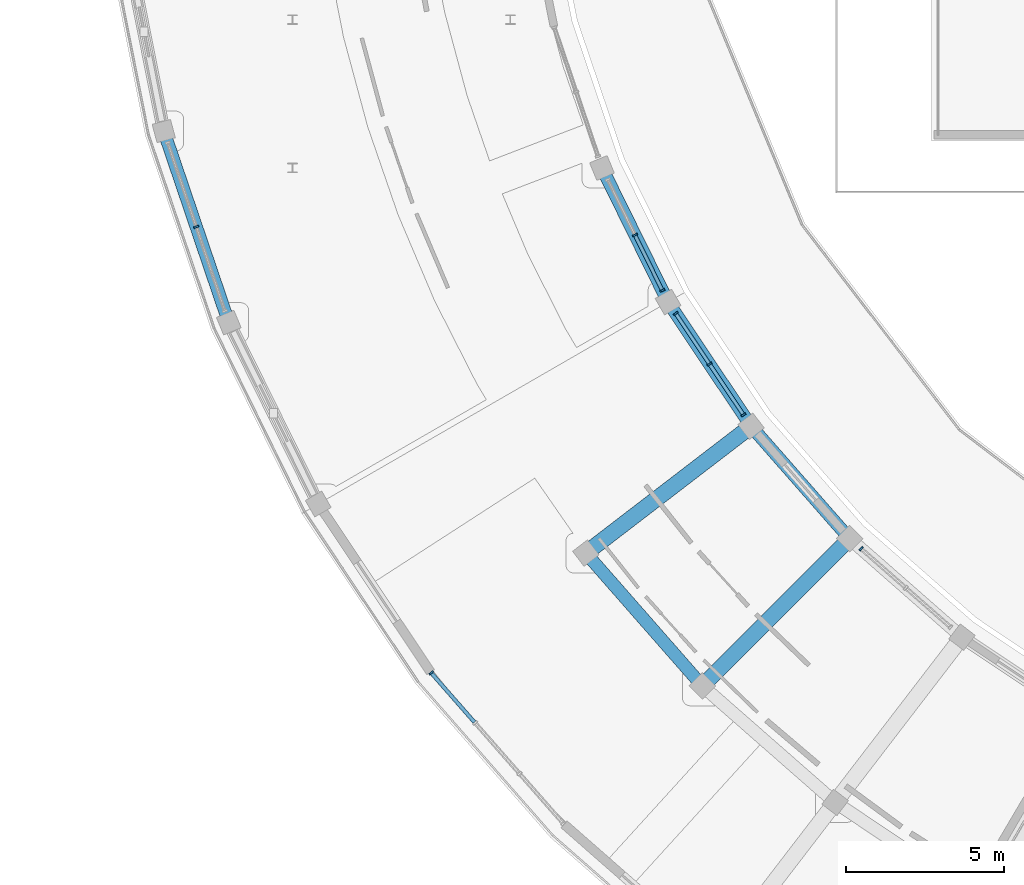
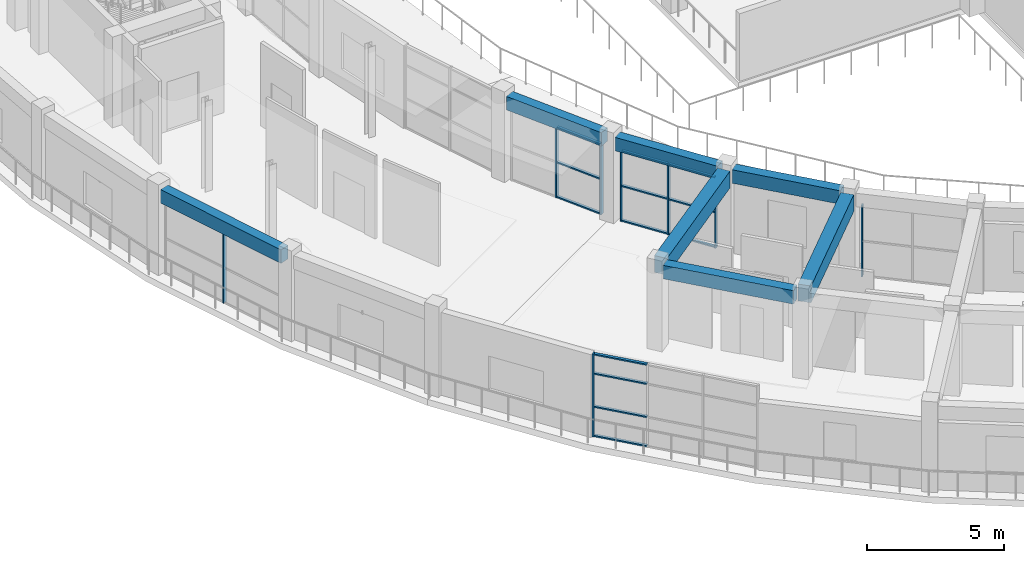
# One storey, part 13 of 83: 21 members, 7 beams, 5 elements without a shape of their own.
"""IFC4 building model written with IfcOpenShell, lengths in metres."""

from ifc_helpers import new_model, si_unit, direction, frame, origin, origin_2d, place, context, subcontext, project, spatial, rectangle, extrude, material, material_profile, profile_set, type_object, element, aggregate, save


model = new_model("IFC4")

# Units and contexts
model_context = context("Model", 3, precision=1e-05, world=origin(), true_north=direction((0.0, 1.0)))
body_context = subcontext(model_context, "Body", "Model", "MODEL_VIEW")
ifc_project = project(units=[si_unit("LENGTHUNIT", "METRE"), si_unit("AREAUNIT", "SQUARE_METRE"), si_unit("VOLUMEUNIT", "CUBIC_METRE"), si_unit("PLANEANGLEUNIT", "RADIAN"), si_unit("MASSUNIT", "GRAM", prefix="KILO")], contexts=[model_context])

# Site, building, storey
site_placement = place(None, origin())
site = spatial("IfcSite", under=ifc_project, at=site_placement, CompositionType="ELEMENT")
building_placement = place(site_placement, origin())
building = spatial("IfcBuilding", under=site, at=building_placement, Name="Saryqyr Civic Hall", CompositionType="ELEMENT")
storey_placement = place(building_placement, frame((0.0, 0.0, 9.14990234375)))
storey = spatial("IfcBuildingStorey", under=building, at=storey_placement, Name="L02", CompositionType="ELEMENT", Elevation=9.14990234375)

# Curtain wall, member
ifc_material_1 = material(Name="Anodised aluminium and triple low-E glass", Category="aluminium")
curtain_wall_type_1 = type_object("IfcCurtainWallType", Name="ENV-CW-STD-23", PredefinedType="NOTDEFINED", material=ifc_material_1)
curtain_wall_1_placement = place(storey_placement, origin())
curtain_wall_1 = element("IfcCurtainWall", 1, at=curtain_wall_1_placement, inside=storey, type_object=curtain_wall_type_1, Name="Curtain wall V4-CWO-L02-04", PredefinedType="NOTDEFINED")
ifc_material_2 = material(Name="Anodised aluminium", Category="aluminium")
ifc_material_profile_1 = material_profile(ifc_material_2, rectangle(XDim=0.06005859375, YDim=0.159912109375, at=origin_2d()), Name="ALU MULLION 60x160")
ifc_profile_set_1 = profile_set([ifc_material_profile_1], Name="Anodised aluminium")
member_type_1 = type_object("IfcMemberType", Name="ENV-CW-MUL-180", PredefinedType="MULLION", material=ifc_profile_set_1)
member_1_placement = place(storey_placement, frame((10.69970703125, 68.283203125, 0.0), z_axis=(0.0, 0.0, 1.0), x_axis=(-0.321446589179, 0.946927711235, 0.0)))
member_1 = element("IfcMember", 2, at=member_1_placement, type_object=member_type_1, Name="CW-23 mullion 2", PredefinedType="MULLION", context=body_context, shape_type="SweptSolid", body=[
    extrude(rectangle(XDim=0.06005859375, YDim=0.159912109375, at=origin_2d()), origin(), (0.0, 0.0, 1.0), 3.1650390625),
])
aggregate(curtain_wall_1, [member_1])

# Curtain wall, members
curtain_wall_type_2 = type_object("IfcCurtainWallType", Name="ENV-CW-STD-21", PredefinedType="NOTDEFINED", material=ifc_material_1)
curtain_wall_2_placement = place(storey_placement, origin())
curtain_wall_2 = element("IfcCurtainWall", 3, at=curtain_wall_2_placement, inside=storey, type_object=curtain_wall_type_2, Name="Curtain wall V4-CWI-L02-05", PredefinedType="NOTDEFINED")
member_2_placement = place(storey_placement, frame((24.602783203125, 68.0234375, 0.0), z_axis=(0.0, 0.0, 1.0), x_axis=(0.44226837931, -0.896882757479, 0.0)))
member_2 = element("IfcMember", 4, at=member_2_placement, type_object=member_type_1, Name="CW-21 mullion 2", PredefinedType="MULLION", context=body_context, shape_type="SweptSolid", body=[
    extrude(rectangle(XDim=0.06005859375, YDim=0.159912109375, at=origin_2d()), origin(), (0.0, 0.0, 1.0), 3.1650390625),
])
member_3_placement = place(storey_placement, frame((25.468994140625, 66.266845703125, 0.0), z_axis=(0.0, 0.0, 1.0), x_axis=(0.44226837931, -0.896882757479, 0.0)))
member_3 = element("IfcMember", 5, at=member_3_placement, type_object=member_type_1, Name="CW-21 mullion 3", PredefinedType="MULLION", context=body_context, shape_type="SweptSolid", body=[
    extrude(rectangle(XDim=0.06005859375, YDim=0.159912109375, at=origin_2d()), origin(), (0.0, 0.0, 1.0), 3.1650390625),
])

curtain_wall_type_3 = type_object("IfcCurtainWallType", Name="ENV-CW-STD-25", PredefinedType="NOTDEFINED", material=ifc_material_1)
curtain_wall_3_placement = place(storey_placement, origin())
curtain_wall_3 = element("IfcCurtainWall", 6, at=curtain_wall_3_placement, inside=storey, type_object=curtain_wall_type_3, Name="Curtain wall V4-CWI-L02-06", PredefinedType="NOTDEFINED")
member_4_placement = place(storey_placement, frame((25.893798828125, 65.53515625, 0.0), z_axis=(0.0, 0.0, 1.0), x_axis=(0.555554091972, -0.831480397179, 0.0)))
member_4 = element("IfcMember", 7, at=member_4_placement, type_object=member_type_1, Name="CW-25 mullion 1", PredefinedType="MULLION", context=body_context, shape_type="SweptSolid", body=[
    extrude(rectangle(XDim=0.06005859375, YDim=0.159912109375, at=origin_2d()), origin(), (0.0, 0.0, 1.0), 3.1650390625),
])
member_5_placement = place(storey_placement, frame((26.96533203125, 63.931396484375, 0.0), z_axis=(0.0, 0.0, 1.0), x_axis=(0.555554091972, -0.831480397179, 0.0)))
member_5 = element("IfcMember", 8, at=member_5_placement, type_object=member_type_1, Name="CW-25 mullion 2", PredefinedType="MULLION", context=body_context, shape_type="SweptSolid", body=[
    extrude(rectangle(XDim=0.06005859375, YDim=0.159912109375, at=origin_2d()), origin(), (0.0, 0.0, 1.0), 3.1650390625),
])
member_6_placement = place(storey_placement, frame((28.03662109375, 62.32763671875, 0.0), z_axis=(0.0, 0.0, 1.0), x_axis=(0.555554091972, -0.831480397179, 0.0)))
member_6 = element("IfcMember", 9, at=member_6_placement, type_object=member_type_1, Name="CW-25 mullion 3", PredefinedType="MULLION", context=body_context, shape_type="SweptSolid", body=[
    extrude(rectangle(XDim=0.06005859375, YDim=0.159912109375, at=origin_2d()), origin(), (0.0, 0.0, 1.0), 3.1650390625),
])

# Curtain wall, member
curtain_wall_type_4 = type_object("IfcCurtainWallType", Name="ENV-CW-STD-26", PredefinedType="NOTDEFINED", material=ifc_material_1)
curtain_wall_4_placement = place(storey_placement, origin())
curtain_wall_4 = element("IfcCurtainWall", 10, at=curtain_wall_4_placement, inside=storey, type_object=curtain_wall_type_4, Name="Curtain wall V4-CWO-L02-07", PredefinedType="NOTDEFINED")
member_7_placement = place(storey_placement, frame((18.1455078125, 54.148193359375, 0.0), z_axis=(0.0, 0.0, 1.0), x_axis=(-0.659349177167, 0.751836859012, 0.0)))
member_7 = element("IfcMember", 11, at=member_7_placement, type_object=member_type_1, Name="CW-26 mullion 4", PredefinedType="MULLION", context=body_context, shape_type="SweptSolid", body=[
    extrude(rectangle(XDim=0.06005859375, YDim=0.159912109375, at=origin_2d()), origin(), (0.0, 0.0, 1.0), 3.7001953125),
])

curtain_wall_type_5 = type_object("IfcCurtainWallType", Name="ENV-CW-STD-27", PredefinedType="NOTDEFINED", material=ifc_material_1)
curtain_wall_5_placement = place(storey_placement, origin())
curtain_wall_5 = element("IfcCurtainWall", 12, at=curtain_wall_5_placement, inside=storey, type_object=curtain_wall_type_5, Name="Curtain wall V4-CWI-L02-08", PredefinedType="NOTDEFINED")
member_8_placement = place(storey_placement, frame((31.76513671875, 58.084716796875, 0.0), z_axis=(0.0, 0.0, 1.0), x_axis=(0.751850148543, -0.65933402319, 0.0)))
member_8 = element("IfcMember", 13, at=member_8_placement, type_object=member_type_1, Name="CW-27 mullion 1", PredefinedType="MULLION", context=body_context, shape_type="SweptSolid", body=[
    extrude(rectangle(XDim=0.06005859375, YDim=0.159912109375, at=origin_2d()), origin(), (0.0, 0.0, 1.0), 3.1650390625),
])
aggregate(curtain_wall_5, [member_8])

# Member
ifc_material_profile_2 = material_profile(ifc_material_2, rectangle(XDim=0.1201171875, YDim=0.06005859375, at=origin_2d()), Name="ALU TRANSOM 120x60")
ifc_profile_set_2 = profile_set([ifc_material_profile_2], Name="Anodised aluminium")
member_type_2 = type_object("IfcMemberType", Name="ENV-CW-TRN-150", PredefinedType="USERDEFINED", material=ifc_profile_set_2)
member_9_placement = place(storey_placement, frame((24.615966796875, 67.99658203125, 0.030029296875), z_axis=(0.442217386625, -0.89690790105, 0.0), x_axis=(0.89690790105, 0.442217386625, 0.0)))
member_9 = element("IfcMember", 14, at=member_9_placement, type_object=member_type_2, Name="CW-21 transom 2.1", ObjectType="TRANSOM", PredefinedType="USERDEFINED", context=body_context, shape_type="SweptSolid", body=[
    extrude(rectangle(XDim=0.1201171875, YDim=0.06005859375, at=origin_2d()), origin(), (0.0, 0.0, 1.0), 1.898681640625),
])

member_10_placement = place(storey_placement, frame((24.615966796875, 67.99658203125, 1.58203125), z_axis=(0.442217386625, -0.89690790105, 0.0), x_axis=(0.89690790105, 0.442217386625, 0.0)))
member_10 = element("IfcMember", 15, at=member_10_placement, type_object=member_type_2, Name="CW-21 transom 2.2", ObjectType="TRANSOM", PredefinedType="USERDEFINED", context=body_context, shape_type="SweptSolid", body=[
    extrude(rectangle(XDim=0.1201171875, YDim=0.06005859375, at=origin_2d()), origin(), (0.0, 0.0, 1.0), 1.898681640625),
])

member_11_placement = place(storey_placement, frame((24.615966796875, 67.99658203125, 3.135009765625), z_axis=(0.442217386625, -0.89690790105, 0.0), x_axis=(0.89690790105, 0.442217386625, 0.0)))
member_11 = element("IfcMember", 16, at=member_11_placement, type_object=member_type_2, Name="CW-21 transom 2.3", ObjectType="TRANSOM", PredefinedType="USERDEFINED", context=body_context, shape_type="SweptSolid", body=[
    extrude(rectangle(XDim=0.1201171875, YDim=0.06005859375, at=origin_2d()), origin(), (0.0, 0.0, 1.0), 1.898681640625),
])

aggregate(curtain_wall_2, [member_2, member_3, member_9, member_10, member_11])

member_12_placement = place(storey_placement, frame((25.910400390625, 65.510009765625, 0.030029296875), z_axis=(0.555544141607, -0.831487045435, 0.0), x_axis=(0.831487045435, 0.555544141607, 0.0)))
member_12 = element("IfcMember", 17, at=member_12_placement, type_object=member_type_2, Name="CW-25 transom 1.1", ObjectType="TRANSOM", PredefinedType="USERDEFINED", context=body_context, shape_type="SweptSolid", body=[
    extrude(rectangle(XDim=0.1201171875, YDim=0.06005859375, at=origin_2d()), origin(), (0.0, 0.0, 1.0), 1.86865234375),
])

member_13_placement = place(storey_placement, frame((25.910400390625, 65.510009765625, 1.58203125), z_axis=(0.555544141607, -0.831487045435, 0.0), x_axis=(0.831487045435, 0.555544141607, 0.0)))
member_13 = element("IfcMember", 18, at=member_13_placement, type_object=member_type_2, Name="CW-25 transom 1.2", ObjectType="TRANSOM", PredefinedType="USERDEFINED", context=body_context, shape_type="SweptSolid", body=[
    extrude(rectangle(XDim=0.1201171875, YDim=0.06005859375, at=origin_2d()), origin(), (0.0, 0.0, 1.0), 1.86865234375),
])

member_14_placement = place(storey_placement, frame((25.910400390625, 65.510009765625, 3.135009765625), z_axis=(0.555544141607, -0.831487045435, 0.0), x_axis=(0.831487045435, 0.555544141607, 0.0)))
member_14 = element("IfcMember", 19, at=member_14_placement, type_object=member_type_2, Name="CW-25 transom 1.3", ObjectType="TRANSOM", PredefinedType="USERDEFINED", context=body_context, shape_type="SweptSolid", body=[
    extrude(rectangle(XDim=0.1201171875, YDim=0.06005859375, at=origin_2d()), origin(), (0.0, 0.0, 1.0), 1.86865234375),
])

member_15_placement = place(storey_placement, frame((26.98193359375, 63.906494140625, 0.030029296875), z_axis=(0.555544141607, -0.831487045435, 0.0), x_axis=(0.831487045435, 0.555544141607, 0.0)))
member_15 = element("IfcMember", 20, at=member_15_placement, type_object=member_type_2, Name="CW-25 transom 2.1", ObjectType="TRANSOM", PredefinedType="USERDEFINED", context=body_context, shape_type="SweptSolid", body=[
    extrude(rectangle(XDim=0.1201171875, YDim=0.06005859375, at=origin_2d()), origin(), (0.0, 0.0, 1.0), 1.86865234375),
])

member_16_placement = place(storey_placement, frame((26.98193359375, 63.906494140625, 1.58203125), z_axis=(0.555544141607, -0.831487045435, 0.0), x_axis=(0.831487045435, 0.555544141607, 0.0)))
member_16 = element("IfcMember", 21, at=member_16_placement, type_object=member_type_2, Name="CW-25 transom 2.2", ObjectType="TRANSOM", PredefinedType="USERDEFINED", context=body_context, shape_type="SweptSolid", body=[
    extrude(rectangle(XDim=0.1201171875, YDim=0.06005859375, at=origin_2d()), origin(), (0.0, 0.0, 1.0), 1.86865234375),
])

member_17_placement = place(storey_placement, frame((26.98193359375, 63.906494140625, 3.135009765625), z_axis=(0.555544141607, -0.831487045435, 0.0), x_axis=(0.831487045435, 0.555544141607, 0.0)))
member_17 = element("IfcMember", 22, at=member_17_placement, type_object=member_type_2, Name="CW-25 transom 2.3", ObjectType="TRANSOM", PredefinedType="USERDEFINED", context=body_context, shape_type="SweptSolid", body=[
    extrude(rectangle(XDim=0.1201171875, YDim=0.06005859375, at=origin_2d()), origin(), (0.0, 0.0, 1.0), 1.86865234375),
])

aggregate(curtain_wall_3, [member_4, member_5, member_6, member_12, member_13, member_14, member_15, member_16, member_17])

member_18_placement = place(storey_placement, frame((19.5146484375, 52.5869140625, 0.030029296875), z_axis=(-0.659365663126, 0.751822400764, 0.0), x_axis=(-0.751822400764, -0.659365663126, 0.0)))
member_18 = element("IfcMember", 23, at=member_18_placement, type_object=member_type_2, Name="CW-26 transom 3.1", ObjectType="TRANSOM", PredefinedType="USERDEFINED", context=body_context, shape_type="SweptSolid", body=[
    extrude(rectangle(XDim=0.1201171875, YDim=0.06005859375, at=origin_2d()), origin(), (0.0, 0.0, 1.0), 2.04638671875),
])

member_19_placement = place(storey_placement, frame((19.5146484375, 52.5869140625, 1.33203125), z_axis=(-0.659365663126, 0.751822400764, 0.0), x_axis=(-0.751822400764, -0.659365663126, 0.0)))
member_19 = element("IfcMember", 24, at=member_19_placement, type_object=member_type_2, Name="CW-26 transom 3.2", ObjectType="TRANSOM", PredefinedType="USERDEFINED", context=body_context, shape_type="SweptSolid", body=[
    extrude(rectangle(XDim=0.1201171875, YDim=0.06005859375, at=origin_2d()), origin(), (0.0, 0.0, 1.0), 2.04638671875),
])

member_20_placement = place(storey_placement, frame((19.5146484375, 52.5869140625, 2.81201171875), z_axis=(-0.659365663126, 0.751822400764, 0.0), x_axis=(-0.751822400764, -0.659365663126, 0.0)))
member_20 = element("IfcMember", 25, at=member_20_placement, type_object=member_type_2, Name="CW-26 transom 3.3", ObjectType="TRANSOM", PredefinedType="USERDEFINED", context=body_context, shape_type="SweptSolid", body=[
    extrude(rectangle(XDim=0.1201171875, YDim=0.06005859375, at=origin_2d()), origin(), (0.0, 0.0, 1.0), 2.04638671875),
])

member_21_placement = place(storey_placement, frame((19.5146484375, 52.5869140625, 3.670166015625), z_axis=(-0.659365663126, 0.751822400764, 0.0), x_axis=(-0.751822400764, -0.659365663126, 0.0)))
member_21 = element("IfcMember", 26, at=member_21_placement, type_object=member_type_2, Name="CW-26 transom 3.4", ObjectType="TRANSOM", PredefinedType="USERDEFINED", context=body_context, shape_type="SweptSolid", body=[
    extrude(rectangle(XDim=0.1201171875, YDim=0.06005859375, at=origin_2d()), origin(), (0.0, 0.0, 1.0), 2.04638671875),
])

aggregate(curtain_wall_4, [member_7, member_18, member_19, member_20, member_21])

# Beams
ifc_material_3 = material(Name="Concrete C35/45", Category="concrete")
ifc_material_profile_3 = material_profile(ifc_material_3, rectangle(XDim=0.39990234375, YDim=0.60009765625, at=origin_2d()), Name="RC 400x600")
ifc_profile_set_3 = profile_set([ifc_material_profile_3], Name="Concrete C35/45")
beam_type_1 = type_object("IfcBeamType", Name="STR-BM-RC400x600", PredefinedType="BEAM", material=ifc_profile_set_3)
beam_1_placement = place(storey_placement, frame((23.225830078125, 57.73828125, 3.489990234375), z_axis=(0.659336163536, -0.751848271564, 0.0), x_axis=(0.751848271564, 0.659336163536, 0.0)))
element("IfcBeam", 27, at=beam_1_placement, inside=storey, type_object=beam_type_1, Name="Beam V4-CBM-MID07-L02", PredefinedType="BEAM", context=body_context, shape_type="SweptSolid", body=[
    extrude(rectangle(XDim=0.39990234375, YDim=0.60009765625, at=origin_2d()), origin(), (0.0, 0.0, 1.0), 5.04833984375),
])
ifc_material_profile_4 = material_profile(ifc_material_3, rectangle(XDim=0.39990234375, YDim=0.60009765625, at=origin_2d()), Name="RC 400x600")
ifc_profile_set_4 = profile_set([ifc_material_profile_4], Name="Concrete C35/45")
beam_type_2 = type_object("IfcBeamType", Name="STR-BM-RC400x600-EXT", PredefinedType="BEAM", material=ifc_profile_set_4)
beam_2_placement = place(storey_placement, frame((9.758056640625, 71.0576171875, 3.489990234375), z_axis=(0.321435116902, -0.946931605567, 0.0), x_axis=(0.946931605567, 0.321435116902, 0.0)))
element("IfcBeam", 28, at=beam_2_placement, inside=storey, type_object=beam_type_2, Name="Beam V4-CBM-OUT04-L02", PredefinedType="BEAM", context=body_context, shape_type="SweptSolid", body=[
    extrude(rectangle(XDim=0.39990234375, YDim=0.60009765625, at=origin_2d()), origin(), (0.0, 0.0, 1.0), 5.85986328125),
])
beam_3_placement = place(storey_placement, frame((23.67724609375, 69.900390625, 3.489990234375), z_axis=(0.442260347142, -0.896886718235, 0.0), x_axis=(0.896886718235, 0.442260347142, 0.0)))
element("IfcBeam", 29, at=beam_3_placement, inside=storey, type_object=beam_type_2, Name="Beam V4-CBM-IN05-L02", PredefinedType="BEAM", context=body_context, shape_type="SweptSolid", body=[
    extrude(rectangle(XDim=0.39990234375, YDim=0.60009765625, at=origin_2d()), origin(), (0.0, 0.0, 1.0), 4.185546875),
])
for number, where, z_axis, x_axis, name in (
    (30, (25.802734375, 65.67138671875, 3.489990234375), (0.555521098795, -0.831502440642, 0.0), (0.831502440642, 0.555521098795, 0.0), "Beam V4-CBM-IN06-L02"),
    (31, (28.4619140625, 61.756103515625, 3.489990234375), (0.659363203996, -0.751824557471, 0.0), (0.751824557471, 0.659363203996, 0.0), "Beam V4-CBM-IN07-L02"),
):
    element("IfcBeam", number, at=place(storey_placement, frame(where, z_axis=z_axis, x_axis=x_axis)), inside=storey, type_object=beam_type_2, Name=name, PredefinedType="BEAM", context=body_context, shape_type="SweptSolid", body=[
        extrude(rectangle(XDim=0.39990234375, YDim=0.60009765625, at=origin_2d()), origin(), (0.0, 0.0, 1.0), 4.18505859375),
    ])
ifc_material_4 = material(Name="Concrete C40/50", Category="concrete")
ifc_material_profile_5 = material_profile(ifc_material_4, rectangle(XDim=0.5, YDim=0.75, at=origin_2d()), Name="RC 500x750")
ifc_profile_set_5 = profile_set([ifc_material_profile_5], Name="Concrete C40/50")
beam_type_3 = type_object("IfcBeamType", Name="STR-BM-RC500x750", PredefinedType="BEAM", material=ifc_profile_set_5)
beam_4_placement = place(storey_placement, frame((28.0625, 61.79541015625, 3.4150390625), z_axis=(-0.793346491431, -0.608770354513, 0.0), x_axis=(0.608770354513, -0.793346491431, 0.0)))
element("IfcBeam", 32, at=beam_4_placement, inside=storey, type_object=beam_type_3, Name="Beam V4-RBM-A07-L02", PredefinedType="BEAM", context=body_context, shape_type="SweptSolid", body=[
    extrude(rectangle(XDim=0.5, YDim=0.75, at=origin_2d()), origin(), (0.0, 0.0, 1.0), 6.050048828125),
])
beam_5_placement = place(storey_placement, frame((31.208251953125, 58.208251953125, 3.4150390625), z_axis=(-0.707106781187, -0.707106781187, 0.0), x_axis=(0.707106781187, -0.707106781187, 0.0)))
element("IfcBeam", 33, at=beam_5_placement, inside=storey, type_object=beam_type_3, Name="Beam V4-RBM-A08-L02", PredefinedType="BEAM", context=body_context, shape_type="SweptSolid", body=[
    extrude(rectangle(XDim=0.5, YDim=0.75, at=origin_2d()), origin(), (0.0, 0.0, 1.0), 6.0498046875),
])

save(model, "model.ifc")
